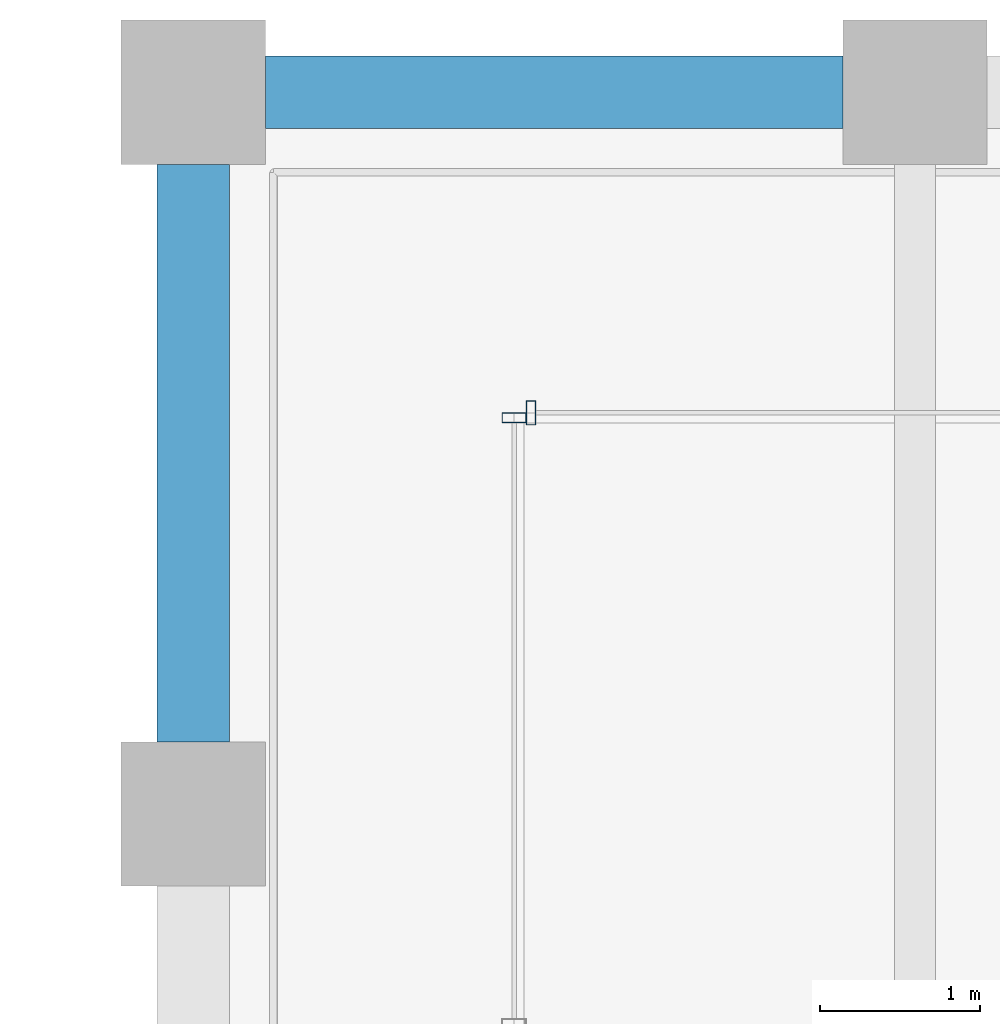
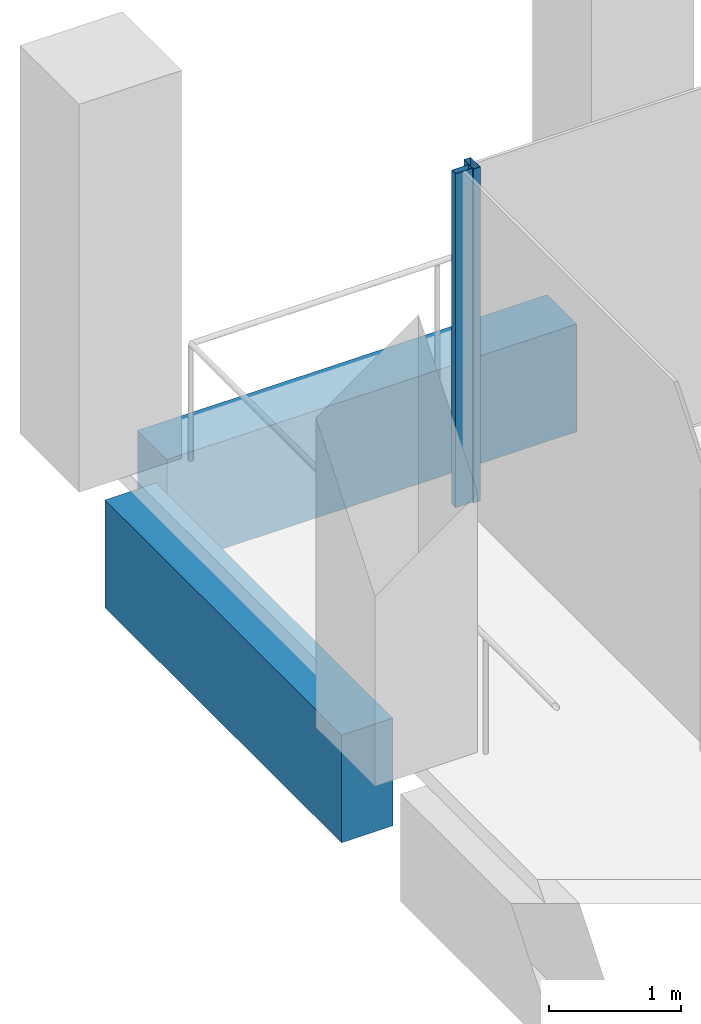
# One storey, part 21 of 40: 2 beams, 2 members, 2 elements without a shape of their own.
"""IFC4 building model written with IfcOpenShell, lengths in metres."""

from ifc_helpers import new_model, si_unit, direction, frame, origin, origin_2d, place, context, subcontext, project, spatial, rectangle, hollow_rectangle, extrude, material, material_profile, profile_set, type_object, element, aggregate, save


model = new_model("IFC4")

# Units and contexts
model_context = context("Model", 3, precision=1e-05, world=origin(), true_north=direction((0.0, 1.0)))
body_context = subcontext(model_context, "Body", "Model", "MODEL_VIEW")
ifc_project = project(units=[si_unit("LENGTHUNIT", "METRE"), si_unit("AREAUNIT", "SQUARE_METRE"), si_unit("VOLUMEUNIT", "CUBIC_METRE"), si_unit("PLANEANGLEUNIT", "RADIAN"), si_unit("MASSUNIT", "GRAM", prefix="KILO")], contexts=[model_context])

# Site, building, storey
site_placement = place(None, origin())
site = spatial("IfcSite", under=ifc_project, at=site_placement, CompositionType="ELEMENT")
building_placement = place(site_placement, origin())
building = spatial("IfcBuilding", under=site, at=building_placement, Name="Altepetl Exchange Towers", CompositionType="ELEMENT")
storey_placement = place(building_placement, frame((0.0, 0.0, 147.39990234375)))
storey = spatial("IfcBuildingStorey", under=building, at=storey_placement, Name="L36", CompositionType="ELEMENT", Elevation=147.39990234375)

# Curtain wall, member
ifc_material_1 = material(Name="Aluminium 6063-T6 glazing", Category="aluminium")
curtain_wall_type = type_object("IfcCurtainWallType", Name="Loggia glazing system", PredefinedType="NOTDEFINED", material=ifc_material_1)
curtain_wall_1_placement = place(storey_placement, origin())
curtain_wall_1 = element("IfcCurtainWall", 1, at=curtain_wall_1_placement, inside=storey, type_object=curtain_wall_type, Name="CW1 run", PredefinedType="NOTDEFINED")
ifc_material_2 = material(Name="Aluminium 6063-T6", Category="aluminium")
ifc_material_profile_1 = material_profile(ifc_material_2, hollow_rectangle(XDim=0.06005859375, YDim=0.14990234375, WallThickness=0.0029296875, at=origin_2d()), Name="Mullion 60x150 aluminium")
ifc_profile_set_1 = profile_set([ifc_material_profile_1], Name="Aluminium 6063-T6")
member_type = type_object("IfcMemberType", Name="Mullion 60x150 aluminium", PredefinedType="MULLION", material=ifc_profile_set_1)
member_1_placement = place(storey_placement, frame((42.60498046875, 70.0, 0.0), z_axis=(0.0, 0.0, 1.0), x_axis=(-1.0, 0.0, 0.0)))
member_1 = element("IfcMember", 2, at=member_1_placement, type_object=member_type, Name="MU1 mullion", PredefinedType="MULLION", context=body_context, shape_type="SweptSolid", body=[
    extrude(hollow_rectangle(XDim=0.06005859375, YDim=0.14990234375, WallThickness=0.0029296875, at=origin_2d()), origin(), (0.0, 0.0, 1.0), 3.10009765625),
])
aggregate(curtain_wall_1, [member_1])

curtain_wall_2_placement = place(storey_placement, origin())
curtain_wall_2 = element("IfcCurtainWall", 3, at=curtain_wall_2_placement, inside=storey, type_object=curtain_wall_type, Name="CW1 run", PredefinedType="NOTDEFINED")
member_2_placement = place(storey_placement, frame((42.5, 69.969970703125, 0.0), z_axis=(0.0, 0.0, 1.0), x_axis=(0.0, -1.0, 0.0)))
member_2 = element("IfcMember", 4, at=member_2_placement, type_object=member_type, Name="MU1 mullion", PredefinedType="MULLION", context=body_context, shape_type="SweptSolid", body=[
    extrude(hollow_rectangle(XDim=0.06005859375, YDim=0.14990234375, WallThickness=0.0029296875, at=origin_2d()), origin(), (0.0, 0.0, 1.0), 3.10009765625),
])
aggregate(curtain_wall_2, [member_2])

# Beams
ifc_material_3 = material(Name="Concrete C50/60 precast with cantera rosa facing", Category="concrete")
ifc_material_profile_2 = material_profile(ifc_material_3, rectangle(XDim=0.449951171875, YDim=1.0, at=origin_2d()), Name="450 x 1000")
ifc_profile_set_2 = profile_set([ifc_material_profile_2], Name="Concrete C50/60 precast with cantera rosa facing")
beam_type_1 = type_object("IfcBeamType", Name="Spandrel beam 450x1000 cantera rosa", PredefinedType="SPANDREL", material=ifc_profile_set_2)
beam_1_placement = place(storey_placement, frame((44.550048828125, 72.0, -0.64990234375), z_axis=(-1.0, 0.0, 0.0), x_axis=(0.0, -1.0, 0.0)))
element("IfcBeam", 5, at=beam_1_placement, inside=storey, type_object=beam_type_1, Name="sp:A:L36:029", PredefinedType="SPANDREL", context=body_context, shape_type="SweptSolid", body=[
    extrude(rectangle(XDim=0.449951171875, YDim=1.0, at=origin_2d()), origin(), (0.0, 0.0, 1.0), 3.60009765625),
])
ifc_material_4 = material(Name="Concrete C50/60 precast with tezontle facing", Category="concrete")
ifc_material_profile_3 = material_profile(ifc_material_4, rectangle(XDim=0.449951171875, YDim=1.0, at=origin_2d()), Name="450 x 1000")
ifc_profile_set_3 = profile_set([ifc_material_profile_3], Name="Concrete C50/60 precast with tezontle facing")
beam_type_2 = type_object("IfcBeamType", Name="Spandrel beam 450x1000 tezontle", PredefinedType="SPANDREL", material=ifc_profile_set_3)
beam_2_placement = place(storey_placement, frame((40.5, 71.550048828125, -0.64990234375), z_axis=(0.0, -1.0, 0.0), x_axis=(1.0, 0.0, 0.0)))
element("IfcBeam", 6, at=beam_2_placement, inside=storey, type_object=beam_type_2, Name="sp:A:L36:030", PredefinedType="SPANDREL", context=body_context, shape_type="SweptSolid", body=[
    extrude(rectangle(XDim=0.449951171875, YDim=1.0, at=origin_2d()), origin(), (0.0, 0.0, 1.0), 3.60009765625),
])

save(model, "model.ifc")
